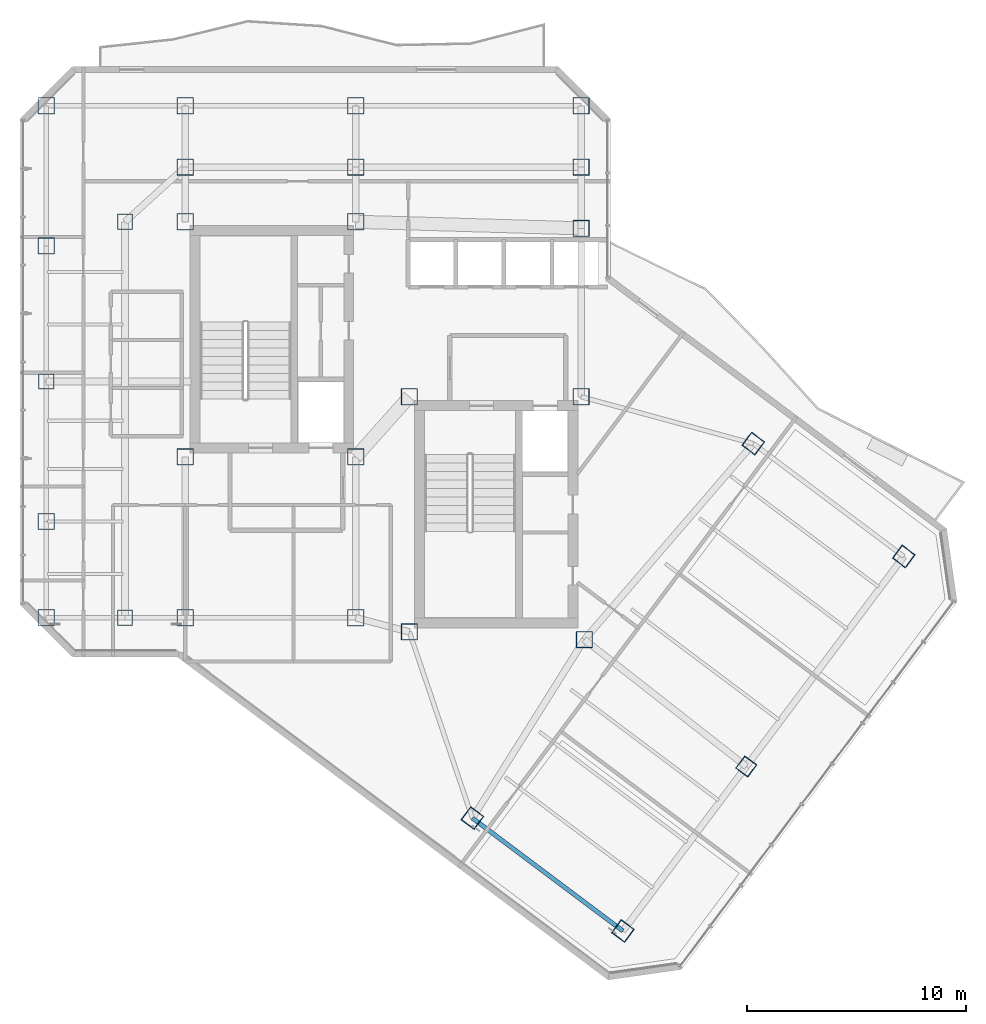
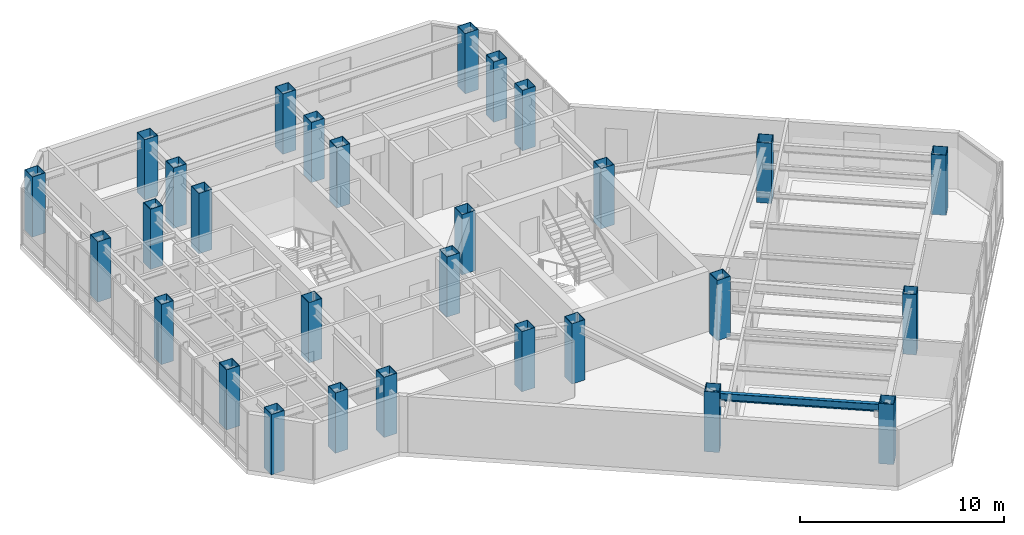
# One storey, part 1 of 26: 29 columns, 1 beam.
"""IFC4 building model written with IfcOpenShell, lengths in metres."""

from ifc_helpers import new_model, si_unit, direction, frame, origin, origin_2d, place, context, subcontext, project, spatial, hollow_rectangle, i_section, extrude, material, material_profile, profile_set, type_object, element, save


model = new_model("IFC4")

# Units and contexts
model_context = context("Model", 3, precision=1e-05, world=origin(), true_north=direction((0.0, 1.0)))
body_context = subcontext(model_context, "Body", "Model", "MODEL_VIEW")
ifc_project = project(units=[si_unit("LENGTHUNIT", "METRE"), si_unit("AREAUNIT", "SQUARE_METRE"), si_unit("VOLUMEUNIT", "CUBIC_METRE"), si_unit("PLANEANGLEUNIT", "RADIAN"), si_unit("MASSUNIT", "GRAM", prefix="KILO")], contexts=[model_context])

# Site, building, storey
site_placement = place(None, origin())
site = spatial("IfcSite", under=ifc_project, at=site_placement, CompositionType="ELEMENT")
building_placement = place(site_placement, origin())
building = spatial("IfcBuilding", under=site, at=building_placement, Name="Hatsunagi Terrace Concourse", CompositionType="ELEMENT")
storey_placement = place(building_placement, frame((0.0, 0.0, 198.75)))
storey = spatial("IfcBuildingStorey", under=building, at=storey_placement, Name="L52", CompositionType="ELEMENT", Elevation=198.75)

# Columns
ifc_material_1 = material(Name="Steel BCP325T", Category="steel")
ifc_material_profile_1 = material_profile(ifc_material_1, hollow_rectangle(XDim=0.699951171875, YDim=0.699951171875, WallThickness=0.028076171875, at=origin_2d()), Name="BCP-700x700x28")
ifc_profile_set_1 = profile_set([ifc_material_profile_1], Name="Steel BCP325T")
column_type_1 = type_object("IfcColumnType", Name="TowerBoxColumn_700x700x28", PredefinedType="COLUMN", material=ifc_profile_set_1)
for number, where, z_axis, x_axis, name in (
    (1, (22.800048828125, 25.199951171875, 0.0), (0.0, 0.0, 1.0), (1.0, 0.0, 0.0), "Column C-08 L52-CW1"),
    (2, (22.800048828125, 43.300048828125, 0.0), (0.0, 0.0, 1.0), (1.0, 0.0, 0.0), "Column C-08 L52-CW2"),
    (3, (19.199951171875, 36.0, 0.0), (0.0, 0.0, 1.0), (1.0, 0.0, 0.0), "Column C-08 L52-WT2"),
    (4, (51.199951171875, 18.39990234375, 0.0), (0.0, 0.0, 1.0), (0.799999996291, -0.600000004945, 0.0), "Column C-08 L52-SEM2"),
):
    element("IfcColumn", number, at=place(storey_placement, frame(where, z_axis=z_axis, x_axis=x_axis)), inside=storey, type_object=column_type_1, Name=name, PredefinedType="COLUMN", context=body_context, shape_type="SweptSolid", body=[
        extrude(hollow_rectangle(XDim=0.699951171875, YDim=0.699951171875, WallThickness=0.028076171875, at=origin_2d()), origin(), (0.0, 0.0, 1.0), 3.60009765625),
    ])
ifc_material_2 = material(Name="Steel BCP325T", Category="steel")
ifc_material_profile_2 = material_profile(ifc_material_2, hollow_rectangle(XDim=0.75, YDim=0.75, WallThickness=0.028076171875, at=origin_2d()), Name="BCP-750x750x28")
ifc_profile_set_2 = profile_set([ifc_material_profile_2], Name="Steel BCP325T")
column_type_2 = type_object("IfcColumnType", Name="TowerBoxColumn_750x750x28", PredefinedType="COLUMN", material=ifc_profile_set_2)
for number, where, z_axis, x_axis, name in (
    (5, (25.550048828125, 32.550048828125, 0.0), (0.0, 0.0, 1.0), (1.0, 0.0, 0.0), "Column C-07 L52-CASW"),
    (6, (33.35009765625, 32.550048828125, 0.0), (0.0, 0.0, 1.0), (1.0, 0.0, 0.0), "Column C-07 L52-CASE"),
    (7, (25.550048828125, 43.300048828125, 0.0), (0.0, 0.0, 1.0), (1.0, 0.0, 0.0), "Column C-07 L52-CANW"),
    (8, (33.35009765625, 43.300048828125, 0.0), (0.0, 0.0, 1.0), (1.0, 0.0, 0.0), "Column C-07 L52-CANE"),
    (9, (35.800048828125, 24.550048828125, 0.0), (0.0, 0.0, 1.0), (1.0, 0.0, 0.0), "Column C-07 L52-CBSW"),
    (10, (43.800048828125, 24.199951171875, 0.0), (0.0, 0.0, 1.0), (1.0, 0.0, 0.0), "Column C-07 L52-CBSE"),
    (11, (35.800048828125, 35.300048828125, 0.0), (0.0, 0.0, 1.0), (1.0, 0.0, 0.0), "Column C-07 L52-CBNW"),
    (12, (43.64990234375, 35.300048828125, 0.0), (0.0, 0.0, 1.0), (1.0, 0.0, 0.0), "Column C-07 L52-CBNE"),
    (13, (25.550048828125, 25.199951171875, 0.0), (0.0, 0.0, 1.0), (1.0, 0.0, 0.0), "Column C-07 L52-K1"),
    (14, (33.35009765625, 25.199951171875, 0.0), (0.0, 0.0, 1.0), (1.0, 0.0, 0.0), "Column C-07 L52-K2"),
    (15, (43.64990234375, 43.0, 0.0), (0.0, 0.0, 1.0), (1.0, 0.0, 0.0), "Column C-07 L52-K3"),
    (16, (25.550048828125, 45.800048828125, 0.0), (0.0, 0.0, 1.0), (1.0, 0.0, 0.0), "Column C-07 L52-CN1"),
    (17, (33.35009765625, 45.800048828125, 0.0), (0.0, 0.0, 1.0), (1.0, 0.0, 0.0), "Column C-07 L52-CN2"),
    (18, (43.64990234375, 45.800048828125, 0.0), (0.0, 0.0, 1.0), (1.0, 0.0, 0.0), "Column C-07 L52-CN3"),
    (19, (19.199951171875, 48.60009765625, 0.0), (0.0, 0.0, 1.0), (1.0, 0.0, 0.0), "Column C-07 L52-WN3"),
    (20, (25.550048828125, 48.60009765625, 0.0), (0.0, 0.0, 1.0), (1.0, 0.0, 0.0), "Column C-07 L52-WN4"),
    (21, (33.35009765625, 48.60009765625, 0.0), (0.0, 0.0, 1.0), (1.0, 0.0, 0.0), "Column C-07 L52-WN5"),
    (22, (43.64990234375, 48.60009765625, 0.0), (0.0, 0.0, 1.0), (1.0, 0.0, 0.0), "Column C-07 L52-WN6"),
    (23, (19.199951171875, 25.199951171875, 0.0), (0.0, 0.0, 1.0), (1.0, 0.0, 0.0), "Column C-07 L52-WS3"),
    (24, (19.199951171875, 29.60009765625, 0.0), (0.0, 0.0, 1.0), (1.0, 0.0, 0.0), "Column C-07 L52-WR1"),
    (25, (19.199951171875, 42.199951171875, 0.0), (0.0, 0.0, 1.0), (1.0, 0.0, 0.0), "Column C-07 L52-WR2"),
    (26, (38.679931640625, 16.0400390625, 0.0), (0.0, 0.0, 1.0), (0.799999996291, -0.600000004945, 0.0), "Column C-07 L52-SES1"),
    (27, (51.52001953125, 33.159912109375, 0.0), (0.0, 0.0, 1.0), (0.799999996291, -0.600000004945, 0.0), "Column C-07 L52-SEN1"),
    (28, (45.56005859375, 10.8798828125, 0.0), (0.0, 0.0, 1.0), (0.799999996291, -0.600000004945, 0.0), "Column C-07 L52-SES2"),
    (29, (58.39990234375, 28.0, 0.0), (0.0, 0.0, 1.0), (0.799999996291, -0.600000004945, 0.0), "Column C-07 L52-SEN2"),
):
    element("IfcColumn", number, at=place(storey_placement, frame(where, z_axis=z_axis, x_axis=x_axis)), inside=storey, type_object=column_type_2, Name=name, PredefinedType="COLUMN", context=body_context, shape_type="SweptSolid", body=[
        extrude(hollow_rectangle(XDim=0.75, YDim=0.75, WallThickness=0.028076171875, at=origin_2d()), origin(), (0.0, 0.0, 1.0), 3.60009765625),
    ])

# Beam
ifc_material_3 = material(Name="Steel SN490B", Category="steel")
ifc_material_profile_3 = material_profile(ifc_material_3, i_section(OverallWidth=0.199951171875, OverallDepth=0.449951171875, WebThickness=0.009033203125, FlangeThickness=0.013916015625, FilletRadius=0.01611328125, at=origin_2d()), Name="H-450x200x9x14")
ifc_profile_set_3 = profile_set([ifc_material_profile_3], Name="Steel SN490B")
beam_type = type_object("IfcBeamType", Name="PerimeterSpandrel_H_450x200", PredefinedType="SPANDREL", material=ifc_profile_set_3)
beam_placement = place(storey_placement, frame((38.679931640625, 16.0400390625, 3.125), z_axis=(0.799996593451, -0.600004542038, 0.0), x_axis=(0.600004542038, 0.799996593451, 0.0)))
element("IfcBeam", 30, at=beam_placement, inside=storey, type_object=beam_type, Name="Beam SP-02 BM-L52-SE-SW2", PredefinedType="SPANDREL", context=body_context, shape_type="SweptSolid", body=[
    extrude(i_section(OverallWidth=0.199951171875, OverallDepth=0.449951171875, WebThickness=0.009033203125, FlangeThickness=0.013916015625, FilletRadius=0.01611328125, at=origin_2d()), origin(), (0.0, 0.0, 1.0), 8.60009765625),
])

save(model, "model.ifc")
